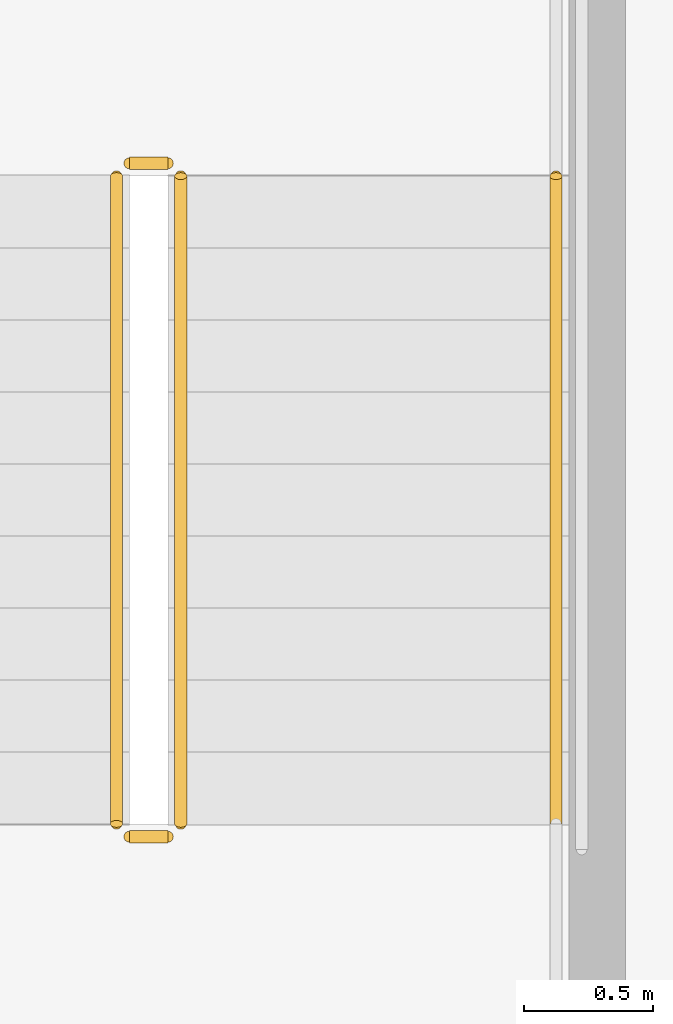
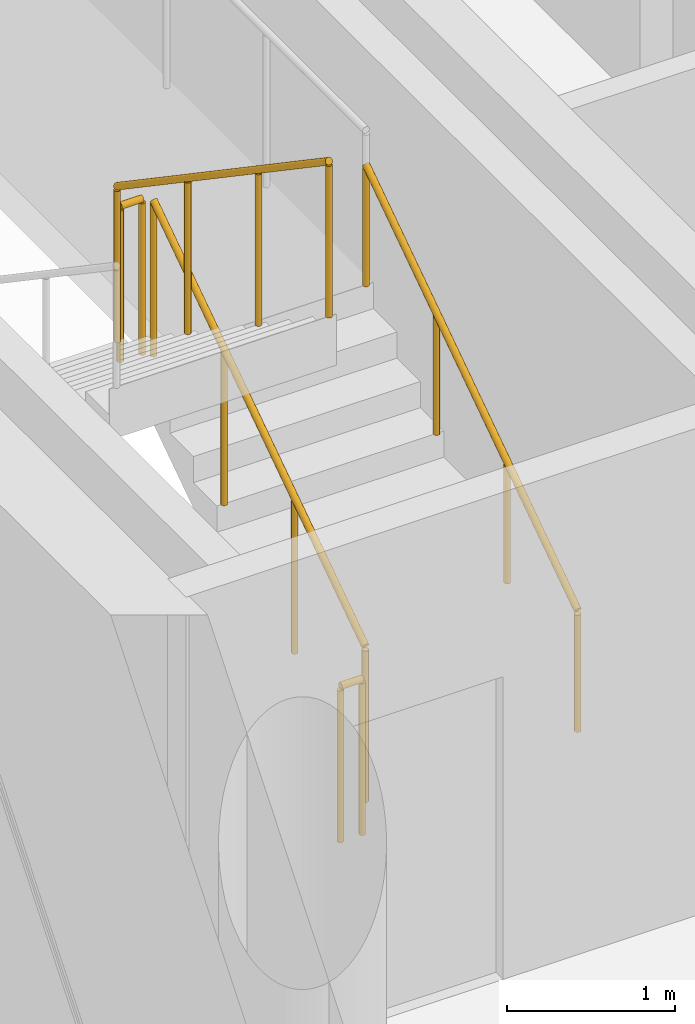
# One storey, part 14 of 16: 5 railings.
"""IFC4 building model written with IfcOpenShell, lengths in metres."""

from ifc_helpers import new_model, si_unit, direction, frame, origin, origin_2d, place, context, subcontext, project, spatial, circle, extrude, material, type_object, element, save


model = new_model("IFC4")

# Units and contexts
model_context = context("Model", 3, precision=1e-05, world=origin(), true_north=direction((0.0, 1.0)))
body_context = subcontext(model_context, "Body", "Model", "MODEL_VIEW")
ifc_project = project(units=[si_unit("LENGTHUNIT", "METRE"), si_unit("AREAUNIT", "SQUARE_METRE"), si_unit("VOLUMEUNIT", "CUBIC_METRE"), si_unit("PLANEANGLEUNIT", "RADIAN"), si_unit("MASSUNIT", "GRAM", prefix="KILO")], contexts=[model_context])

# Site, building, storey
site_placement = place(None, origin())
site = spatial("IfcSite", under=ifc_project, at=site_placement, CompositionType="ELEMENT")
building_placement = place(site_placement, origin())
building = spatial("IfcBuilding", under=site, at=building_placement, Name="Khairoan Windgate Tower", CompositionType="ELEMENT")
storey_placement = place(building_placement, frame((0.0, 0.0, 292.800048828125)))
storey = spatial("IfcBuildingStorey", under=building, at=storey_placement, Name="L70", CompositionType="ELEMENT", Elevation=292.800048828125)

# Railings
ifc_material_1 = material(Name="Anodised Bronze Aluminium 6063-T6", Category="aluminium")
railing_type_1 = type_object("IfcRailingType", Name="Stair Wall Handrail SHR-900", PredefinedType="HANDRAIL", material=ifc_material_1)
railing_1_placement = place(storey_placement, frame((-16.199951171875, 2.9599609375, 0.18994140625)))
element("IfcRailing", 1, at=railing_1_placement, inside=storey, type_object=railing_type_1, Name="L70 ST2 stair handrail 1", PredefinedType="HANDRAIL", context=body_context, shape_type="SweptSolid", body=[
    extrude(circle(Radius=0.02392578125, at=origin_2d()), frame((0.0, 0.0, 0.8759765625), z_axis=(0.0, 0.827483756001, 0.561489655786), x_axis=(-1.0, 0.0, 0.0)), (0.0, 0.0, 1.0), 3.04541015625),
    extrude(circle(Radius=0.02099609375, at=origin_2d()), origin(), (0.0, 0.0, 1.0), 0.851806640625),
    extrude(circle(Radius=0.02099609375, at=origin_2d()), frame((0.0, 0.840087890625, 0.570068359375)), (0.0, 0.0, 1.0), 0.851806640625),
    extrude(circle(Radius=0.02099609375, at=origin_2d()), frame((0.0, 1.679931640625, 1.139892578125)), (0.0, 0.0, 1.0), 0.851806640625),
    extrude(circle(Radius=0.02099609375, at=origin_2d()), frame((0.0, 2.52001953125, 1.7099609375)), (0.0, 0.0, 1.0), 0.851806640625),
])
ifc_material_2 = material(Name="Steel S355", Category="steel")
railing_type_2 = type_object("IfcRailingType", Name="Stairwell Safety Guardrail SGR-1150", PredefinedType="GUARDRAIL", material=ifc_material_2)
railing_2_placement = place(storey_placement, frame((-17.659912109375, 2.9599609375, 0.18994140625)))
element("IfcRailing", 2, at=railing_2_placement, inside=storey, type_object=railing_type_2, Name="L70 ST2 stair guard 1", PredefinedType="GUARDRAIL", context=body_context, shape_type="SweptSolid", body=[
    extrude(circle(Radius=0.02392578125, at=origin_2d()), frame((0.0, 0.0, 1.1259765625), z_axis=(0.0, 0.827483756001, 0.561489655786), x_axis=(-1.0, 0.0, 0.0)), (0.0, 0.0, 1.0), 3.04541015625),
    extrude(circle(Radius=0.02099609375, at=origin_2d()), origin(), (0.0, 0.0, 1.0), 1.101806640625),
    extrude(circle(Radius=0.02099609375, at=origin_2d()), frame((0.0, 0.840087890625, 0.570068359375)), (0.0, 0.0, 1.0), 1.101806640625),
    extrude(circle(Radius=0.02099609375, at=origin_2d()), frame((0.0, 1.679931640625, 1.139892578125)), (0.0, 0.0, 1.0), 1.101806640625),
    extrude(circle(Radius=0.02099609375, at=origin_2d()), frame((0.0, 2.52001953125, 1.7099609375)), (0.0, 0.0, 1.0), 1.101806640625),
])
railing_3_placement = place(storey_placement, frame((-17.7099609375, 5.530029296875, 1.89990234375)))
element("IfcRailing", 3, at=railing_3_placement, inside=storey, type_object=railing_type_2, Name="L70 ST2 stair guard 2", PredefinedType="GUARDRAIL", context=body_context, shape_type="SweptSolid", body=[
    extrude(circle(Radius=0.02392578125, at=origin_2d()), frame((0.0, 0.0, 1.1259765625), z_axis=(-1.0, 0.0, 0.0), x_axis=(0.0, -1.0, 0.0)), (0.0, 0.0, 1.0), 0.150146484375),
    extrude(circle(Radius=0.02099609375, at=origin_2d()), origin(), (0.0, 0.0, 1.0), 1.101806640625),
    extrude(circle(Radius=0.02099609375, at=origin_2d()), frame((-0.150146484375, 0.0, 0.0)), (0.0, 0.0, 1.0), 1.101806640625),
])
railing_4_placement = place(storey_placement, frame((-17.909912109375, 5.47998046875, 2.08984375)))
element("IfcRailing", 4, at=railing_4_placement, inside=storey, type_object=railing_type_2, Name="L70 ST2 stair guard 6", PredefinedType="GUARDRAIL", context=body_context, shape_type="SweptSolid", body=[
    extrude(circle(Radius=0.02392578125, at=origin_2d()), frame((0.0, 0.0, 1.1259765625), z_axis=(0.0, -0.82744650838, 0.561544544778), x_axis=(1.0, 0.0, 0.0)), (0.0, 0.0, 1.0), 3.045654296875),
    extrude(circle(Radius=0.02099609375, at=origin_2d()), origin(), (0.0, 0.0, 1.0), 1.101806640625),
    extrude(circle(Radius=0.02099609375, at=origin_2d()), frame((0.0, -0.840087890625, 0.570068359375)), (0.0, 0.0, 1.0), 1.101806640625),
    extrude(circle(Radius=0.02099609375, at=origin_2d()), frame((0.0, -1.679931640625, 1.14013671875)), (0.0, 0.0, 1.0), 1.101806640625),
    extrude(circle(Radius=0.02099609375, at=origin_2d()), frame((0.0, -2.52001953125, 1.710205078125)), (0.0, 0.0, 1.0), 1.101806640625),
])
railing_5_placement = place(storey_placement, frame((-17.7099609375, 2.909912109375, 0.0)))
element("IfcRailing", 5, at=railing_5_placement, inside=storey, type_object=railing_type_2, Name="L70 ST2 stair guard 7", PredefinedType="GUARDRAIL", context=body_context, shape_type="SweptSolid", body=[
    extrude(circle(Radius=0.02392578125, at=origin_2d()), frame((0.0, 0.0, 1.1259765625), z_axis=(-1.0, 0.0, 0.0), x_axis=(0.0, -1.0, 0.0)), (0.0, 0.0, 1.0), 0.150146484375),
    extrude(circle(Radius=0.02099609375, at=origin_2d()), origin(), (0.0, 0.0, 1.0), 1.101806640625),
    extrude(circle(Radius=0.02099609375, at=origin_2d()), frame((-0.150146484375, 0.0, 0.0)), (0.0, 0.0, 1.0), 1.101806640625),
])

save(model, "model.ifc")
